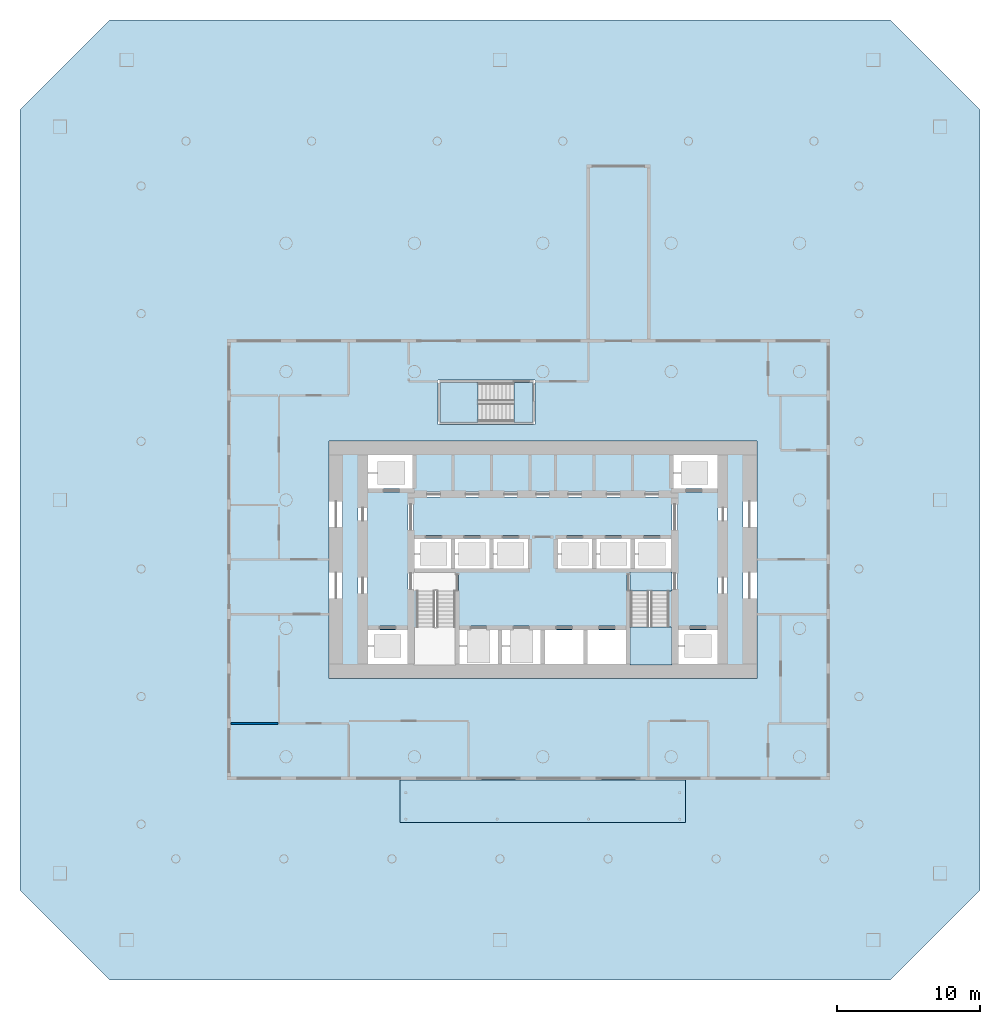
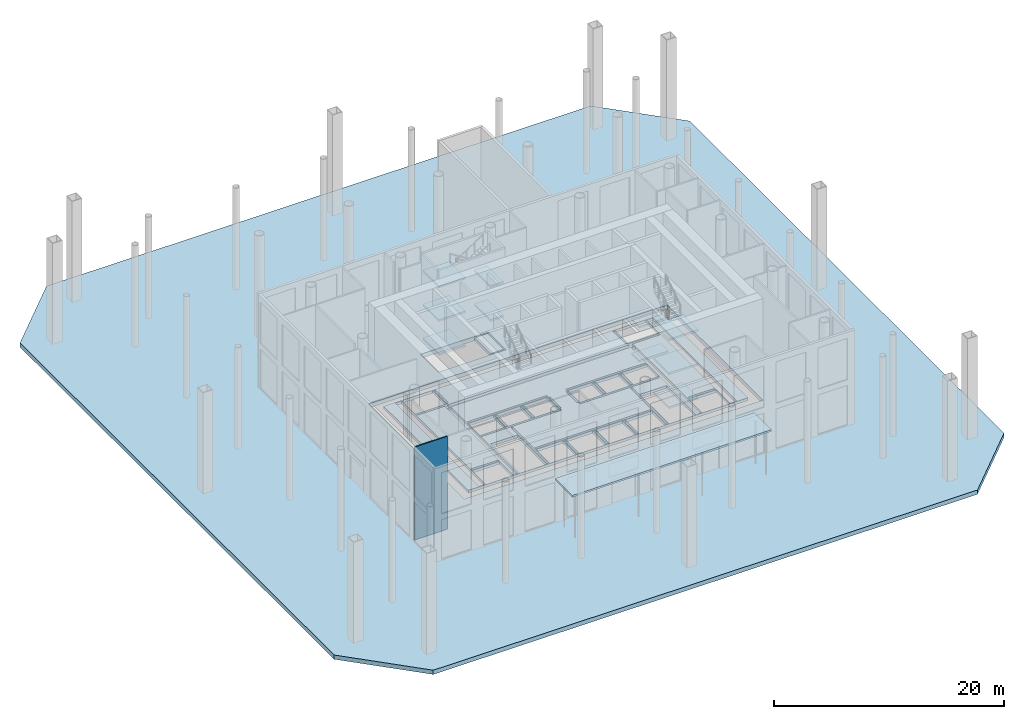
# One storey, part 7 of 18: 14 slabs, 1 wall, 2 elements without a shape of their own.
"""IFC4 building model written with IfcOpenShell, lengths in metres."""

from ifc_helpers import new_model, si_unit, direction, frame, frame_2d, origin, place, context, subcontext, project, spatial, polyline, rectangle, outline, extrude, material, layer, layer_set, type_object, element, aggregate, save


model = new_model("IFC4")

# Units and contexts
model_context = context("Model", 3, precision=1e-05, world=origin(), true_north=direction((0.0, 1.0)))
body_context = subcontext(model_context, "Body", "Model", "MODEL_VIEW")
ifc_project = project(units=[si_unit("LENGTHUNIT", "METRE"), si_unit("AREAUNIT", "SQUARE_METRE"), si_unit("VOLUMEUNIT", "CUBIC_METRE"), si_unit("PLANEANGLEUNIT", "RADIAN"), si_unit("MASSUNIT", "GRAM", prefix="KILO")], contexts=[model_context])

# Site, building, storey
site_placement = place(None, origin())
site = spatial("IfcSite", under=ifc_project, at=site_placement, CompositionType="ELEMENT")
building_placement = place(site_placement, origin())
building = spatial("IfcBuilding", under=site, at=building_placement, Name="Tskaro Facet Tower", CompositionType="ELEMENT")
storey_placement = place(building_placement, origin())
storey = spatial("IfcBuildingStorey", under=building, at=storey_placement, Name="L00", CompositionType="ELEMENT", Elevation=0.0)

# Slabs
ifc_material_1 = material(Name="Bronze anodised aluminium 6063-T6", Category="aluminium")
ifc_layer_1 = layer(ifc_material_1, 0.199951171875, Name="Bronze anodised aluminium 6063-T6")
ifc_layer_set_1 = layer_set([ifc_layer_1], Name="Bronze anodised aluminium 6063-T6")
slab_type_1 = type_object("IfcSlabType", Name="Entrance canopy", PredefinedType="ROOF", material=ifc_layer_set_1)
slab_1_placement = place(storey_placement, frame((0.0, 0.0, 4.550048828125)))
element("IfcSlab", 1, at=slab_1_placement, inside=storey, type_object=slab_type_1, Name="Entrance canopy south", PredefinedType="ROOF", context=body_context, shape_type="SweptSolid", body=[
    extrude(outline(polyline([(-10.0, -19.625), (10.0, -19.625), (10.0, -22.625), (-10.0, -22.625), (-10.0, -19.625)])), origin(), (0.0, 0.0, 1.0), 0.199951171875),
])
ifc_material_2 = material(Name="Concrete C35/45", Category="concrete")
ifc_layer_2 = layer(ifc_material_2, 0.449951171875, Name="Concrete C35/45")
ifc_layer_set_2 = layer_set([ifc_layer_2], Name="Concrete C35/45")
slab_type_2 = type_object("IfcSlabType", Name="Ground deck slab", PredefinedType="FLOOR", material=ifc_layer_set_2)
slab_2_placement = place(storey_placement, frame((0.0, 0.0, -0.449951171875)))
element("IfcSlab", 2, at=slab_2_placement, inside=storey, type_object=slab_type_2, Name="Floor slab FS5 L00", PredefinedType="FLOOR", context=body_context, shape_type="SweptSolid", body=[
    extrude(outline(polyline([(-30.341064453125, -33.64990234375), (24.341064453125, -33.64990234375), (30.64990234375, -27.341064453125), (30.64990234375, 27.341064453125), (24.341064453125, 33.64990234375), (-30.341064453125, 33.64990234375), (-36.64990234375, 27.341064453125), (-36.64990234375, -27.341064453125), (-30.341064453125, -33.64990234375)]), holes=[polyline([(-15.0, -12.5), (15.0, -12.5), (15.0, 4.14990234375), (-15.0, 4.14990234375), (-15.0, -12.5)]), polyline([(-7.35009765625, 5.300048828125), (-0.550048828125, 5.300048828125), (-0.550048828125, 8.39990234375), (-7.35009765625, 8.39990234375), (-7.35009765625, 5.300048828125)])]), origin(), (0.0, 0.0, 1.0), 0.449951171875),
])

# Stair, slabs
ifc_material_3 = material(Name="Concrete C40/50", Category="concrete")
stair_type = type_object("IfcStairType", Name="ST-TWR", PredefinedType="HALF_TURN_STAIR", material=ifc_material_3)
stair_1_placement = place(storey_placement, origin())
stair_1 = element("IfcStair", 3, at=stair_1_placement, inside=storey, type_object=stair_type, Name="L00 Exit stair 2", PredefinedType="HALF_TURN_STAIR")
ifc_layer_3 = layer(ifc_material_3, 0.199951171875, Name="Concrete C40/50")
ifc_layer_set_3 = layer_set([ifc_layer_3], Name="Concrete C40/50")
slab_type_3 = type_object("IfcSlabType", Name="SL-LANDING", PredefinedType="LANDING", material=ifc_layer_set_3)
slab_3_placement = place(storey_placement, frame((0.0, 0.0, 1.60009765625)))
slab_3 = element("IfcSlab", 4, at=slab_3_placement, type_object=slab_type_3, Name="ST-2 landing 1", PredefinedType="LANDING", context=body_context, shape_type="SweptSolid", body=[
    extrude(outline(polyline([(6.10009765625, -11.550048828125), (9.050048828125, -11.550048828125), (9.050048828125, -8.89501953125), (6.10009765625, -8.89501953125), (6.10009765625, -11.550048828125)])), origin(), (0.0, 0.0, 1.0), 0.199951171875),
])
slab_4_placement = place(storey_placement, frame((0.0, 0.0, 3.39990234375)))
slab_4 = element("IfcSlab", 5, at=slab_4_placement, type_object=slab_type_3, Name="ST-2 landing 2", PredefinedType="LANDING", context=body_context, shape_type="SweptSolid", body=[
    extrude(outline(polyline([(6.10009765625, -6.375), (9.050048828125, -6.375), (9.050048828125, -5.050048828125), (6.10009765625, -5.050048828125), (6.10009765625, -6.375)])), origin(), (0.0, 0.0, 1.0), 0.2001953125),
])
slab_5_placement = place(storey_placement, frame((0.0, 0.0, 5.199951171875)))
slab_5 = element("IfcSlab", 6, at=slab_5_placement, type_object=slab_type_3, Name="ST-2 landing 3", PredefinedType="LANDING", context=body_context, shape_type="SweptSolid", body=[
    extrude(outline(polyline([(6.10009765625, -11.550048828125), (9.050048828125, -11.550048828125), (9.050048828125, -8.89501953125), (6.10009765625, -8.89501953125), (6.10009765625, -11.550048828125)])), origin(), (0.0, 0.0, 1.0), 0.199951171875),
])
slab_6_placement = place(storey_placement, frame((0.0, 0.0, 7.0)))
slab_6 = element("IfcSlab", 7, at=slab_6_placement, type_object=slab_type_3, Name="ST-2 landing 4", PredefinedType="LANDING", context=body_context, shape_type="SweptSolid", body=[
    extrude(outline(polyline([(6.10009765625, -6.375), (9.050048828125, -6.375), (9.050048828125, -5.050048828125), (6.10009765625, -5.050048828125), (6.10009765625, -6.375)])), origin(), (0.0, 0.0, 1.0), 0.199951171875),
])
slab_7_placement = place(storey_placement, frame((0.0, 0.0, 8.800048828125)))
slab_7 = element("IfcSlab", 8, at=slab_7_placement, type_object=slab_type_3, Name="ST-2 landing 5", PredefinedType="LANDING", context=body_context, shape_type="SweptSolid", body=[
    extrude(outline(polyline([(6.10009765625, -11.550048828125), (9.050048828125, -11.550048828125), (9.050048828125, -8.89501953125), (6.10009765625, -8.89501953125), (6.10009765625, -11.550048828125)])), origin(), (0.0, 0.0, 1.0), 0.199951171875),
])
aggregate(stair_1, [slab_3, slab_4, slab_5, slab_6, slab_7])

stair_2_placement = place(storey_placement, origin())
stair_2 = element("IfcStair", 9, at=stair_2_placement, inside=storey, type_object=stair_type, Name="L00 Exit stair 3", PredefinedType="HALF_TURN_STAIR")
slab_8_placement = place(storey_placement, frame((0.0, 0.0, 1.60009765625)))
slab_8 = element("IfcSlab", 10, at=slab_8_placement, type_object=slab_type_3, Name="ST-3 landing 1", PredefinedType="LANDING", context=body_context, shape_type="SweptSolid", body=[
    extrude(outline(polyline([(-7.199951171875, 5.449951171875), (-4.544921875, 5.449951171875), (-4.544921875, 8.25), (-7.199951171875, 8.25), (-7.199951171875, 5.449951171875)])), origin(), (0.0, 0.0, 1.0), 0.199951171875),
])
slab_9_placement = place(storey_placement, frame((0.0, 0.0, 3.39990234375)))
slab_9 = element("IfcSlab", 11, at=slab_9_placement, type_object=slab_type_3, Name="ST-3 landing 2", PredefinedType="LANDING", context=body_context, shape_type="SweptSolid", body=[
    extrude(outline(polyline([(-2.02490234375, 5.449951171875), (-0.699951171875, 5.449951171875), (-0.699951171875, 8.25), (-2.02490234375, 8.25), (-2.02490234375, 5.449951171875)])), origin(), (0.0, 0.0, 1.0), 0.2001953125),
])
slab_10_placement = place(storey_placement, frame((0.0, 0.0, 5.199951171875)))
slab_10 = element("IfcSlab", 12, at=slab_10_placement, type_object=slab_type_3, Name="ST-3 landing 3", PredefinedType="LANDING", context=body_context, shape_type="SweptSolid", body=[
    extrude(outline(polyline([(-7.199951171875, 5.449951171875), (-4.544921875, 5.449951171875), (-4.544921875, 8.25), (-7.199951171875, 8.25), (-7.199951171875, 5.449951171875)])), origin(), (0.0, 0.0, 1.0), 0.199951171875),
])
slab_11_placement = place(storey_placement, frame((0.0, 0.0, 7.0)))
slab_11 = element("IfcSlab", 13, at=slab_11_placement, type_object=slab_type_3, Name="ST-3 landing 4", PredefinedType="LANDING", context=body_context, shape_type="SweptSolid", body=[
    extrude(outline(polyline([(-2.02490234375, 5.449951171875), (-0.699951171875, 5.449951171875), (-0.699951171875, 8.25), (-2.02490234375, 8.25), (-2.02490234375, 5.449951171875)])), origin(), (0.0, 0.0, 1.0), 0.199951171875),
])
slab_12_placement = place(storey_placement, frame((0.0, 0.0, 8.800048828125)))
slab_12 = element("IfcSlab", 14, at=slab_12_placement, type_object=slab_type_3, Name="ST-3 landing 5", PredefinedType="LANDING", context=body_context, shape_type="SweptSolid", body=[
    extrude(outline(polyline([(-7.199951171875, 5.449951171875), (-4.544921875, 5.449951171875), (-4.544921875, 8.25), (-7.199951171875, 8.25), (-7.199951171875, 5.449951171875)])), origin(), (0.0, 0.0, 1.0), 0.199951171875),
])
aggregate(stair_2, [slab_8, slab_9, slab_10, slab_11, slab_12])

# Slabs
ifc_material_4 = material(Name="Concrete C60/75", Category="concrete")
ifc_layer_4 = layer(ifc_material_4, 0.300048828125, Name="Concrete C60/75")
ifc_layer_set_4 = layer_set([ifc_layer_4], Name="Concrete C60/75")
slab_type_4 = type_object("IfcSlabType", Name="SLAB-CORE", PredefinedType="FLOOR", material=ifc_layer_set_4)
slab_13_placement = place(storey_placement, frame((0.0, 0.0, -0.300048828125)))
element("IfcSlab", 15, at=slab_13_placement, inside=storey, type_object=slab_type_4, Name="Core floor slab 1", PredefinedType="FLOOR", context=body_context, shape_type="SweptSolid", body=[
    extrude(outline(polyline([(-14.050048828125, 3.199951171875), (14.050048828125, 3.199951171875), (14.050048828125, 3.10009765625), (14.050048828125, -11.449951171875), (14.050048828125, -11.550048828125), (-14.050048828125, -11.550048828125), (-14.050048828125, -11.449951171875), (-14.050048828125, 3.10009765625), (-14.050048828125, 3.199951171875)]), holes=[polyline([(-9.5, -9.10009765625), (-12.25, -9.10009765625), (-12.25, -11.5), (-9.5, -11.5), (-9.5, -9.10009765625)]), polyline([(-3.14990234375, -9.10009765625), (-5.85009765625, -9.10009765625), (-5.85009765625, -11.5), (-3.14990234375, -11.5), (-3.14990234375, -9.10009765625)]), polyline([(-12.199951171875, -8.85009765625), (-12.199951171875, -9.050048828125), (-9.550048828125, -9.050048828125), (-9.550048828125, -8.85009765625), (-12.199951171875, -8.85009765625)]), polyline([(-6.10009765625, -11.449951171875), (-5.89990234375, -11.449951171875), (-5.89990234375, -5.14990234375), (-6.10009765625, -5.14990234375), (-6.10009765625, -11.449951171875)]), polyline([(-9.449951171875, 0.10009765625), (-9.449951171875, -11.449951171875), (-9.050048828125, -11.449951171875), (-9.050048828125, 0.10009765625), (-9.449951171875, 0.10009765625)]), polyline([(-8.949951171875, -4.85009765625), (-8.949951171875, -5.050048828125), (-0.949951171875, -5.050048828125), (-0.949951171875, -4.85009765625), (-8.949951171875, -4.85009765625)]), polyline([(-12.949951171875, -11.449951171875), (-12.300048828125, -11.449951171875), (-12.300048828125, 3.10009765625), (-12.949951171875, 3.10009765625), (-12.949951171875, -11.449951171875)]), polyline([(-6.449951171875, -4.800048828125), (-6.449951171875, -2.75), (-9.0, -2.75), (-9.0, -4.800048828125), (-6.449951171875, -4.800048828125)]), polyline([(-6.14990234375, -2.75), (-6.14990234375, -4.800048828125), (-3.75, -4.800048828125), (-3.75, -2.75), (-6.14990234375, -2.75)]), polyline([(-6.39990234375, -2.800048828125), (-6.39990234375, -4.75), (-6.199951171875, -4.75), (-6.199951171875, -2.800048828125), (-6.39990234375, -2.800048828125)]), polyline([(-8.949951171875, -2.5), (-8.949951171875, -2.699951171875), (-0.949951171875, -2.699951171875), (-0.949951171875, -2.5), (-8.949951171875, -2.5)]), polyline([(9.449951171875, 0.550048828125), (12.199951171875, 0.550048828125), (12.199951171875, 0.75), (9.050048828125, 0.75), (9.050048828125, 0.60009765625), (-9.050048828125, 0.60009765625), (-9.050048828125, 0.75), (-12.199951171875, 0.75), (-12.199951171875, 0.550048828125), (-9.449951171875, 0.550048828125), (-9.449951171875, 0.199951171875), (9.449951171875, 0.199951171875), (9.449951171875, 0.550048828125)]), polyline([(-9.10009765625, 3.10009765625), (-9.10009765625, 0.85009765625), (-8.89990234375, 0.85009765625), (-8.89990234375, 3.10009765625), (-9.10009765625, 3.10009765625)]), polyline([(-9.14990234375, 0.800048828125), (-9.14990234375, 3.14990234375), (-12.25, 3.14990234375), (-12.25, 0.800048828125), (-9.14990234375, 0.800048828125)]), polyline([(2.89990234375, -11.449951171875), (3.10009765625, -11.449951171875), (3.10009765625, -9.14990234375), (2.89990234375, -9.14990234375), (2.89990234375, -11.449951171875)]), polyline([(-3.10009765625, -9.14990234375), (-3.10009765625, -11.449951171875), (-2.89990234375, -11.449951171875), (-2.89990234375, -9.14990234375), (-3.10009765625, -9.14990234375)]), polyline([(-0.14990234375, -9.10009765625), (-2.85009765625, -9.10009765625), (-2.85009765625, -11.5), (-0.14990234375, -11.5), (-0.14990234375, -9.10009765625)]), polyline([(2.85009765625, -9.10009765625), (0.14990234375, -9.10009765625), (0.14990234375, -11.5), (2.85009765625, -11.5), (2.85009765625, -9.10009765625)]), polyline([(-0.10009765625, -9.14990234375), (-0.10009765625, -11.449951171875), (0.10009765625, -11.449951171875), (0.10009765625, -9.14990234375), (-0.10009765625, -9.14990234375)]), polyline([(-5.800048828125, -8.85009765625), (-5.800048828125, -9.050048828125), (5.800048828125, -9.050048828125), (5.800048828125, -8.85009765625), (-5.800048828125, -8.85009765625)]), polyline([(-3.699951171875, -2.800048828125), (-3.699951171875, -4.75), (-3.5, -4.75), (-3.5, -2.800048828125), (-3.699951171875, -2.800048828125)]), polyline([(3.449951171875, -2.75), (1.050048828125, -2.75), (1.050048828125, -4.800048828125), (3.449951171875, -4.800048828125), (3.449951171875, -2.75)]), polyline([(0.800048828125, -2.800048828125), (0.800048828125, -4.75), (1.0, -4.75), (1.0, -2.800048828125), (0.800048828125, -2.800048828125)]), polyline([(-1.0, -2.800048828125), (-1.0, -4.75), (-0.800048828125, -4.75), (-0.800048828125, -2.800048828125), (-1.0, -2.800048828125)]), polyline([(-3.449951171875, -2.75), (-3.449951171875, -4.800048828125), (-1.050048828125, -4.800048828125), (-1.050048828125, -2.75), (-3.449951171875, -2.75)]), polyline([(3.14990234375, -9.10009765625), (3.14990234375, -11.5), (5.85009765625, -11.5), (5.85009765625, -9.10009765625), (3.14990234375, -9.10009765625)]), polyline([(12.25, -11.5), (12.25, -9.10009765625), (9.5, -9.10009765625), (9.5, -11.5), (12.25, -11.5)]), polyline([(9.550048828125, -8.85009765625), (9.550048828125, -9.050048828125), (12.199951171875, -9.050048828125), (12.199951171875, -8.85009765625), (9.550048828125, -8.85009765625)]), polyline([(5.89990234375, -11.449951171875), (6.10009765625, -11.449951171875), (6.10009765625, -5.14990234375), (5.89990234375, -5.14990234375), (5.89990234375, -11.449951171875)]), polyline([(9.050048828125, 0.10009765625), (9.050048828125, -11.449951171875), (9.449951171875, -11.449951171875), (9.449951171875, 0.10009765625), (9.050048828125, 0.10009765625)]), polyline([(0.949951171875, -4.85009765625), (0.949951171875, -5.050048828125), (8.949951171875, -5.050048828125), (8.949951171875, -4.85009765625), (0.949951171875, -4.85009765625)]), polyline([(12.300048828125, -11.449951171875), (12.949951171875, -11.449951171875), (12.949951171875, 3.10009765625), (12.300048828125, 3.10009765625), (12.300048828125, -11.449951171875)]), polyline([(3.5, -2.800048828125), (3.5, -4.75), (3.699951171875, -4.75), (3.699951171875, -2.800048828125), (3.5, -2.800048828125)]), polyline([(6.14990234375, -4.800048828125), (6.14990234375, -2.75), (3.75, -2.75), (3.75, -4.800048828125), (6.14990234375, -4.800048828125)]), polyline([(6.199951171875, -2.800048828125), (6.199951171875, -4.75), (6.39990234375, -4.75), (6.39990234375, -2.800048828125), (6.199951171875, -2.800048828125)]), polyline([(6.449951171875, -2.75), (6.449951171875, -4.800048828125), (9.0, -4.800048828125), (9.0, -2.75), (6.449951171875, -2.75)]), polyline([(0.949951171875, -2.5), (0.949951171875, -2.699951171875), (8.949951171875, -2.699951171875), (8.949951171875, -2.5), (0.949951171875, -2.5)]), polyline([(8.89990234375, 3.10009765625), (8.89990234375, 0.85009765625), (9.10009765625, 0.85009765625), (9.10009765625, 3.10009765625), (8.89990234375, 3.10009765625)]), polyline([(9.14990234375, 0.800048828125), (12.25, 0.800048828125), (12.25, 3.14990234375), (9.14990234375, 3.14990234375), (9.14990234375, 0.800048828125)]), polyline([(-8.85009765625, -11.5), (-6.14990234375, -11.5), (-6.14990234375, -6.39501953125), (-8.85009765625, -6.39501953125), (-8.85009765625, -11.5)]), polyline([(6.14990234375, -6.39501953125), (6.14990234375, -11.5), (8.85009765625, -11.5), (8.85009765625, -6.39501953125), (6.14990234375, -6.39501953125)])]), origin(), (0.0, 0.0, 1.0), 0.300048828125),
])
slab_14_placement = place(storey_placement, frame((0.0, 0.0, -0.300048828125)))
element("IfcSlab", 16, at=slab_14_placement, inside=storey, type_object=slab_type_4, Name="Stair 3 floor landing 1", PredefinedType="FLOOR", context=body_context, shape_type="SweptSolid", body=[
    extrude(outline(polyline([(-2.02490234375, 5.449951171875), (-0.699951171875, 5.449951171875), (-0.699951171875, 8.25), (-2.02490234375, 8.25), (-2.02490234375, 5.449951171875)])), origin(), (0.0, 0.0, 1.0), 0.300048828125),
])

# Wall
ifc_material_5 = material(Name="Gypsum board on steel studs", Category="steel")
ifc_layer_5 = layer(ifc_material_5, 0.125, Name="Gypsum board on steel studs")
ifc_layer_set_5 = layer_set([ifc_layer_5], Name="Gypsum board on steel studs")
wall_type = type_object("IfcWallType", Name="PART", PredefinedType="PARTITIONING", material=ifc_layer_set_5)
wall_placement = place(storey_placement, frame((-21.875, -15.6689453125, 0.0), z_axis=(0.0, 0.0, 1.0), x_axis=(1.0, 0.0, 0.0)))
element("IfcWall", 17, at=wall_placement, inside=storey, type_object=wall_type, Name="Partition W001", PredefinedType="PARTITIONING", context=body_context, shape_type="SweptSolid", body=[
    extrude(rectangle(XDim=3.300048828125, YDim=0.125, at=frame_2d((1.64990234375, 0.0))), origin(), (0.0, 0.0, 1.0), 9.860107421875),
])

save(model, "model.ifc")
